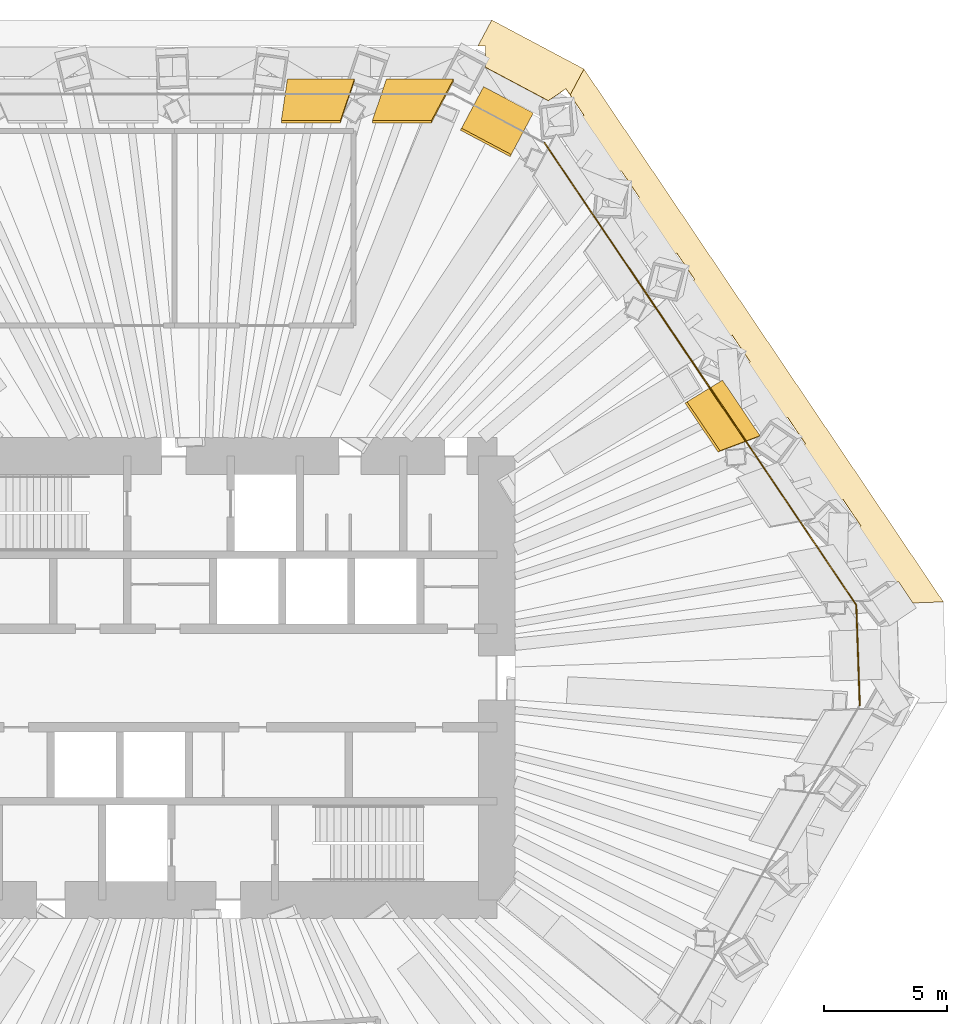
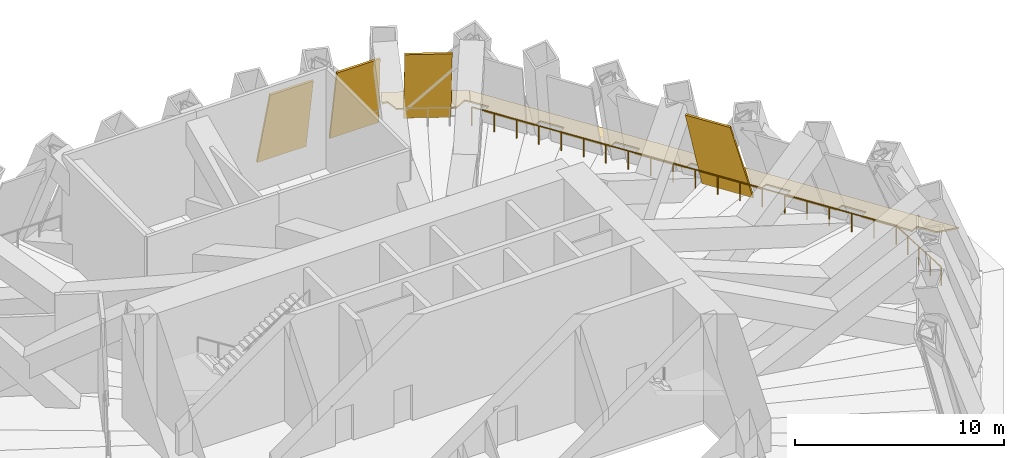
# One storey, part 11 of 12: 4 shading devices, 2 coverings, 1 railing.
"""IFC4 building model written with IfcOpenShell, lengths in metres."""

from ifc_helpers import new_model, si_unit, direction, frame, origin, origin_2d, place, context, subcontext, project, spatial, polyline, circle, outline, extrude, material, layer, layer_set, type_object, element, save


model = new_model("IFC4")

# Units and contexts
model_context = context("Model", 3, precision=1e-05, world=origin(), true_north=direction((0.0, 1.0)))
body_context = subcontext(model_context, "Body", "Model", "MODEL_VIEW")
ifc_project = project(units=[si_unit("LENGTHUNIT", "METRE"), si_unit("AREAUNIT", "SQUARE_METRE"), si_unit("VOLUMEUNIT", "CUBIC_METRE"), si_unit("PLANEANGLEUNIT", "RADIAN"), si_unit("MASSUNIT", "GRAM", prefix="KILO")], contexts=[model_context])

# Site, building, storey
site_placement = place(None, origin())
site = spatial("IfcSite", under=ifc_project, at=site_placement, CompositionType="ELEMENT")
building_placement = place(site_placement, origin())
building = spatial("IfcBuilding", under=site, at=building_placement, Name="Qingtian Harvest Tower", CompositionType="ELEMENT")
storey_placement = place(building_placement, frame((0.0, 0.0, 174.39990234375)))
storey = spatial("IfcBuildingStorey", under=building, at=storey_placement, Name="L37", CompositionType="ELEMENT", Elevation=174.39990234375)

# Coverings
ifc_material_1 = material(Name="Bronze-finished aluminium plate", Category="aluminium")
ifc_layer_1 = layer(ifc_material_1, 0.080078125)
ifc_layer_set_1 = layer_set([ifc_layer_1], Name="Bronze eave band EB1")
covering_type = type_object("IfcCoveringType", Name="Bronze eave band EB1", PredefinedType="CLADDING", material=ifc_layer_set_1)
covering_1_placement = place(storey_placement, frame((11.542724609375, 24.78271484375, -0.02001953125), z_axis=(0.076630139728, 0.144127703724, 0.986587566668), x_axis=(2.078004e-06, 0.989497072882, -0.144552906414)))
element("IfcCovering", 1, at=covering_1_placement, inside=storey, type_object=covering_type, Name="Eave band EB1 L37 2", PredefinedType="CLADDING", context=body_context, shape_type="SweptSolid", body=[
    extrude(outline(polyline([(0.0, 0.0), (0.8763956448504266, -1.734723475976807e-18), (0.8729717622350316, 0.3053438308031379), (1.9404379012563642, -0.25465098406650244), (-0.028402258009431504, -4.007879624828751), (-1.0956268205969548, -3.4478821050861748), (-0.8426554680966571, -3.2772179743285097), (-1.340743912181631, -2.555858719055807), (0.0, 0.0)])), origin(), (0.0, 0.0, -1.0), 0.080078125),
])
covering_2_placement = place(storey_placement, frame((15.081298828125, 22.52734375, -0.02001953125), z_axis=(0.152695671455, 0.10299345849, 0.982891845234), x_axis=(0.814714129962, 0.549833854977, -0.184183653894)))
element("IfcCovering", 2, at=covering_2_placement, inside=storey, type_object=covering_type, Name="Eave band EB1 L37 3", PredefinedType="CLADDING", context=body_context, shape_type="SweptSolid", body=[
    extrude(outline(polyline([(0.0, 0.0), (0.5594695898078463, -1.463672932855431e-18), (0.5598211638713156, 0.9955897509709023), (1.6281778085641967, 1.5534244666566914), (1.6215439142965042, -24.52714154040014), (0.5534912219097665, -23.87080701283379), (0.5538478033122394, -22.814545983497737), (-0.005820691312493409, -22.814409411983135), (-0.005191691898538409, -20.09537693780434), (0.5544768027261926, -20.09551350931894), (0.5547936461580145, -18.79534817939914), (-0.004874848466716486, -18.79521160788454), (-0.004046944235876815, -16.076315705220345), (0.5554226455719695, -16.076315705220345), (0.5558041570396759, -14.776489314959981), (-0.003730100804054892, -14.776150375300546), (-0.003101101390099892, -12.05711790112175), (0.556567393234632, -12.057254472636352), (0.5567499998854528, -10.757291510861386), (-0.002918494739279076, -10.757154939346785), (-0.001956353727438298, -8.038056668537756), (0.5573789992994078, -8.03825903668259), (0.5578947475481144, -6.738230278277391), (-0.0017737470766165941, -6.738093706762791), (-0.0011447476626618158, -4.0190612325839945), (0.5585237469620699, -4.019197804098595), (0.5588405903938913, -2.719032474178796), (-0.0008279042308403373, -2.7188959026641966), (0.0, 0.0)])), origin(), (0.0, 0.0, -1.0), 0.080078125),
])

# Shading devices
ifc_material_2 = material(Name="Bronze-finished aluminium lattice", Category="aluminium")
ifc_layer_2 = layer(ifc_material_2, 0.10009765625)
ifc_layer_set_2 = layer_set([ifc_layer_2], Name="Bronze lattice screen LS1")
shading_device_type = type_object("IfcShadingDeviceType", Name="Bronze lattice screen LS1", PredefinedType="USERDEFINED", material=ifc_layer_set_2)
shading_device_1_placement = place(storey_placement, frame((3.504638671875, 24.300048828125, 0.0), z_axis=(0.0, 0.948683298051, 0.316227766017), x_axis=(1.0, 0.0, 0.0)))
element("IfcShadingDevice", 3, at=shading_device_1_placement, inside=storey, type_object=shading_device_type, Name="Lattice screen LS1 L37 N4", ObjectType="SCREEN", PredefinedType="USERDEFINED", context=body_context, shape_type="SweptSolid", body=[
    extrude(outline(polyline([(0.0, 0.0), (2.718994140625, 0.0), (2.1484375, -5.32321886397973), (-0.24609375, -5.32321886397973), (0.0, 0.0)])), origin(), (0.0, 0.0, -1.0), 0.10009765625),
])
shading_device_2_placement = place(storey_placement, frame((7.523681640625, 24.300048828125, 0.0), z_axis=(0.0, 0.948683298051, 0.316227766017), x_axis=(1.0, 0.0, 0.0)))
element("IfcShadingDevice", 4, at=shading_device_2_placement, inside=storey, type_object=shading_device_type, Name="Lattice screen LS1 L37 N5", ObjectType="SCREEN", PredefinedType="USERDEFINED", context=body_context, shape_type="SweptSolid", body=[
    extrude(outline(polyline([(0.0, 0.0), (2.718994140625, 0.0), (1.823974609375, -5.32321886397973), (-0.570556640625, -5.32321886397973), (0.0, 0.0)])), origin(), (0.0, 0.0, -1.0), 0.10009765625),
])
shading_device_3_placement = place(storey_placement, frame((11.466552734375, 23.994873046875, 0.0), z_axis=(0.439209377372, 0.826046090729, 0.353189720717), x_axis=(0.882950747552, -0.469465629623, 0.0)))
element("IfcShadingDevice", 5, at=shading_device_3_placement, inside=storey, type_object=shading_device_type, Name="Lattice screen LS1 L37 NC", ObjectType="SCREEN", PredefinedType="USERDEFINED", context=body_context, shape_type="SweptSolid", body=[
    extrude(outline(polyline([(0.0, 0.0), (2.2808928144734217, -5.551115123125783e-17), (2.28090943452406, -5.397936553431542), (1.6620050638306093e-05, -5.397936553431542), (0.0, 0.0)])), origin(), (0.0, 0.0, -1.0), 0.10009765625),
])
shading_device_4_placement = place(storey_placement, frame((21.16015625, 12.083984375, 0.0), z_axis=(0.786504277648, 0.530496319962, 0.316203535319), x_axis=(0.559189626086, -0.829039783133, -7.839505e-06)))
element("IfcShadingDevice", 6, at=shading_device_4_placement, inside=storey, type_object=shading_device_type, Name="Lattice screen LS1 L37 NE3", ObjectType="SCREEN", PredefinedType="USERDEFINED", context=body_context, shape_type="SweptSolid", body=[
    extrude(outline(polyline([(0.0, 0.0), (2.719032546124451, 5.551115123125783e-17), (2.316005166463386, -5.323192683951776), (-0.07840850201947089, -5.323150429022646), (0.0, 0.0)])), origin(), (0.0, 0.0, -1.0), 0.10009765625),
])

# Railing
ifc_material_3 = material(Name="Galvanised steel guard", Category="steel")
railing_type = type_object("IfcRailingType", Name="Setback roof guard GR4 1100", PredefinedType="GUARDRAIL", material=ifc_material_3)
railing_placement = place(storey_placement, frame((13.943603515625, 21.710205078125, 0.0)))
element("IfcRailing", 7, at=railing_placement, inside=storey, type_object=railing_type, Name="Setback roof guard GR4 L37 NE", PredefinedType="GUARDRAIL", context=body_context, shape_type="SweptSolid", body=[
    extrude(circle(Radius=0.02392578125, at=origin_2d()), frame((0.0, 0.0, 1.076171875), z_axis=(0.559194655442, -0.829036390833, 0.0), x_axis=(0.829036390833, 0.559194655442, 0.0)), (0.0, 0.0, 1.0), 22.61083984375),
    extrude(circle(Radius=0.02392578125, at=origin_2d()), frame((12.643798828125, -18.7451171875, 1.076171875), z_axis=(0.03490639867, -0.999390585973, 0.0), x_axis=(0.999390585973, 0.03490639867, 0.0)), (0.0, 0.0, 1.0), 4.070556640625),
    extrude(circle(Radius=0.02099609375, at=origin_2d()), origin(), (0.0, 0.0, 1.0), 1.052001953125),
    extrude(circle(Radius=0.02099609375, at=origin_2d()), frame((0.66552734375, -0.986572265625, 0.0)), (0.0, 0.0, 1.0), 1.052001953125),
    extrude(circle(Radius=0.02099609375, at=origin_2d()), frame((1.330810546875, -1.97314453125, 0.0)), (0.0, 0.0, 1.0), 1.052001953125),
    extrude(circle(Radius=0.02099609375, at=origin_2d()), frame((1.996337890625, -2.959716796875, 0.0)), (0.0, 0.0, 1.0), 1.052001953125),
    extrude(circle(Radius=0.02099609375, at=origin_2d()), frame((2.661865234375, -3.9462890625, 0.0)), (0.0, 0.0, 1.0), 1.052001953125),
    extrude(circle(Radius=0.02099609375, at=origin_2d()), frame((3.327392578125, -4.932861328125, 0.0)), (0.0, 0.0, 1.0), 1.052001953125),
    extrude(circle(Radius=0.02099609375, at=origin_2d()), frame((3.99267578125, -5.91943359375, 0.0)), (0.0, 0.0, 1.0), 1.052001953125),
    extrude(circle(Radius=0.02099609375, at=origin_2d()), frame((4.658203125, -6.906005859375, 0.0)), (0.0, 0.0, 1.0), 1.052001953125),
    extrude(circle(Radius=0.02099609375, at=origin_2d()), frame((5.32373046875, -7.892578125, 0.0)), (0.0, 0.0, 1.0), 1.052001953125),
    extrude(circle(Radius=0.02099609375, at=origin_2d()), frame((5.9892578125, -8.879150390625, 0.0)), (0.0, 0.0, 1.0), 1.052001953125),
    extrude(circle(Radius=0.02099609375, at=origin_2d()), frame((6.654541015625, -9.865966796875, 0.0)), (0.0, 0.0, 1.0), 1.052001953125),
    extrude(circle(Radius=0.02099609375, at=origin_2d()), frame((7.320068359375, -10.8525390625, 0.0)), (0.0, 0.0, 1.0), 1.052001953125),
    extrude(circle(Radius=0.02099609375, at=origin_2d()), frame((7.985595703125, -11.839111328125, 0.0)), (0.0, 0.0, 1.0), 1.052001953125),
    extrude(circle(Radius=0.02099609375, at=origin_2d()), frame((8.651123046875, -12.82568359375, 0.0)), (0.0, 0.0, 1.0), 1.052001953125),
    extrude(circle(Radius=0.02099609375, at=origin_2d()), frame((9.31640625, -13.812255859375, 0.0)), (0.0, 0.0, 1.0), 1.052001953125),
    extrude(circle(Radius=0.02099609375, at=origin_2d()), frame((9.98193359375, -14.798828125, 0.0)), (0.0, 0.0, 1.0), 1.052001953125),
    extrude(circle(Radius=0.02099609375, at=origin_2d()), frame((10.6474609375, -15.785400390625, 0.0)), (0.0, 0.0, 1.0), 1.052001953125),
    extrude(circle(Radius=0.02099609375, at=origin_2d()), frame((11.31298828125, -16.77197265625, 0.0)), (0.0, 0.0, 1.0), 1.052001953125),
    extrude(circle(Radius=0.02099609375, at=origin_2d()), frame((11.978271484375, -17.758544921875, 0.0)), (0.0, 0.0, 1.0), 1.052001953125),
    extrude(circle(Radius=0.02099609375, at=origin_2d()), frame((12.643798828125, -18.7451171875, 0.0)), (0.0, 0.0, 1.0), 1.052001953125),
    extrude(circle(Radius=0.02099609375, at=origin_2d()), frame((12.67919921875, -19.76220703125, 0.0)), (0.0, 0.0, 1.0), 1.052001953125),
    extrude(circle(Radius=0.02099609375, at=origin_2d()), frame((12.71484375, -20.779296875, 0.0)), (0.0, 0.0, 1.0), 1.052001953125),
    extrude(circle(Radius=0.02099609375, at=origin_2d()), frame((12.75048828125, -21.796142578125, 0.0)), (0.0, 0.0, 1.0), 1.052001953125),
    extrude(circle(Radius=0.02099609375, at=origin_2d()), frame((12.785888671875, -22.813232421875, 0.0)), (0.0, 0.0, 1.0), 1.052001953125),
])

save(model, "model.ifc")
